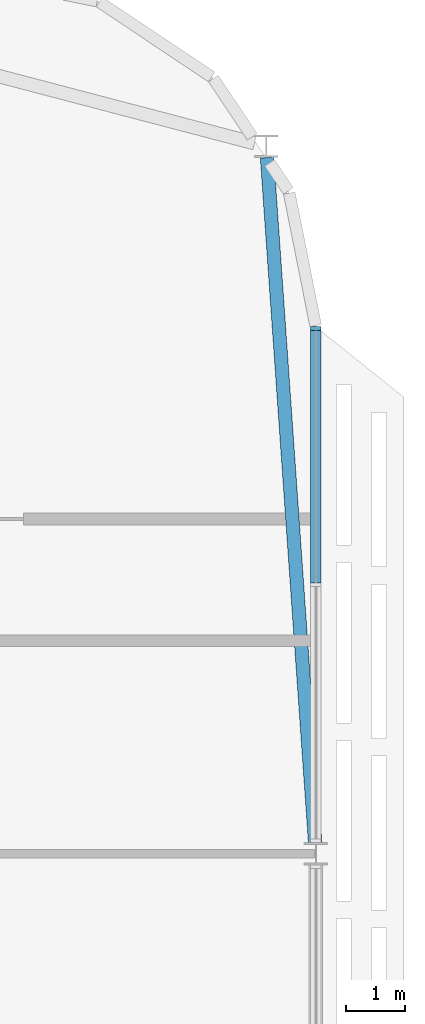
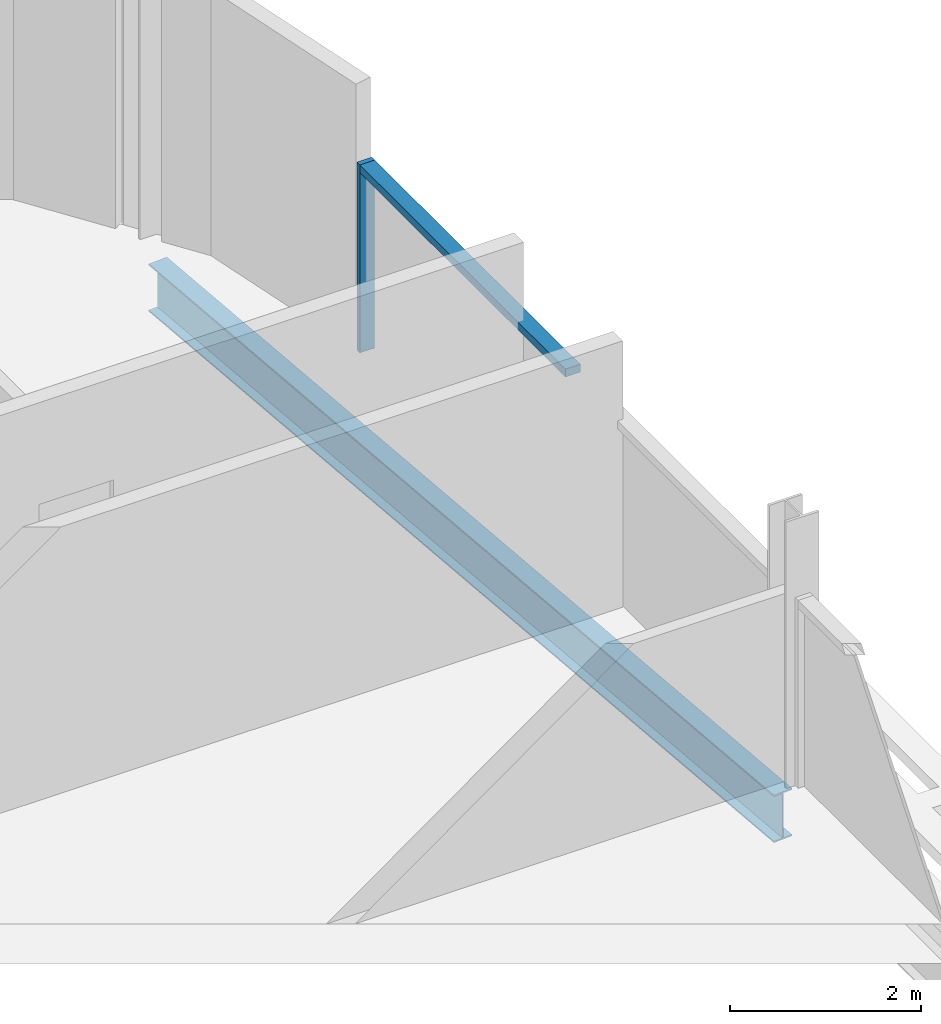
# One storey, part 15 of 33: 2 members, 1 beam, 1 element without a shape of its own.
"""IFC4 building model written with IfcOpenShell, lengths in metres."""

from ifc_helpers import new_model, si_unit, direction, frame, origin, origin_2d, place, context, subcontext, project, spatial, rectangle, i_section, extrude, material, material_profile, profile_set, type_object, element, aggregate, save


model = new_model("IFC4")

# Units and contexts
model_context = context("Model", 3, precision=1e-05, world=origin(), true_north=direction((0.0, 1.0)))
body_context = subcontext(model_context, "Body", "Model", "MODEL_VIEW")
ifc_project = project(units=[si_unit("LENGTHUNIT", "METRE"), si_unit("AREAUNIT", "SQUARE_METRE"), si_unit("VOLUMEUNIT", "CUBIC_METRE"), si_unit("PLANEANGLEUNIT", "RADIAN"), si_unit("MASSUNIT", "GRAM", prefix="KILO")], contexts=[model_context])

# Site, building, storey
site_placement = place(None, origin())
site = spatial("IfcSite", under=ifc_project, at=site_placement, CompositionType="ELEMENT")
building_placement = place(site_placement, origin())
building = spatial("IfcBuilding", under=site, at=building_placement, Name="Mahtab Terrace Research Tower", CompositionType="ELEMENT")
storey_placement = place(building_placement, frame((0.0, 0.0, 255.199951171875)))
storey = spatial("IfcBuildingStorey", under=building, at=storey_placement, Name="L62", CompositionType="ELEMENT", Elevation=255.199951171875)

# Curtain wall, members
ifc_material_1 = material(Name="Office ribbon curtain wall")
curtain_wall_type = type_object("IfcCurtainWallType", Name="Office ribbon curtain wall", PredefinedType="NOTDEFINED", material=ifc_material_1)
curtain_wall_placement = place(storey_placement, origin())
curtain_wall = element("IfcCurtainWall", 1, at=curtain_wall_placement, inside=storey, type_object=curtain_wall_type, Name="EN.L62.18.40", PredefinedType="NOTDEFINED")
ifc_material_2 = material(Name="Natural anodised aluminium", Category="aluminium")
ifc_material_profile_1 = material_profile(ifc_material_2, rectangle(XDim=0.179931640625, YDim=0.06005859375, at=origin_2d()), Name="MULLION 60x180")
ifc_profile_set_1 = profile_set([ifc_material_profile_1], Name="Natural anodised aluminium")
member_type_1 = type_object("IfcMemberType", Name="Office ribbon curtain wall mullion", PredefinedType="MULLION", material=ifc_profile_set_1)
member_1_placement = place(storey_placement, frame((54.0, 20.443115234375, 0.0), z_axis=(0.0, 0.0, 1.0), x_axis=(-1.0, 0.0, 0.0)))
member_1 = element("IfcMember", 2, at=member_1_placement, type_object=member_type_1, Name="CWO-7 mullion 3", PredefinedType="MULLION", context=body_context, shape_type="SweptSolid", body=[
    extrude(rectangle(XDim=0.179931640625, YDim=0.06005859375, at=origin_2d()), origin(), (0.0, 0.0, 1.0), 2.4013671875),
])
ifc_material_profile_2 = material_profile(ifc_material_2, rectangle(XDim=0.179931640625, YDim=0.10009765625, at=origin_2d()), Name="TRANSOM 100x180")
ifc_profile_set_2 = profile_set([ifc_material_profile_2], Name="Natural anodised aluminium")
member_type_2 = type_object("IfcMemberType", Name="Office ribbon curtain wall transom", PredefinedType="USERDEFINED", material=ifc_profile_set_2)
member_2_placement = place(storey_placement, frame((54.0, 16.113037109375, 2.351318359375), z_axis=(0.0, 1.0, 0.0), x_axis=(-1.0, 0.0, 0.0)))
member_2 = element("IfcMember", 3, at=member_2_placement, type_object=member_type_2, Name="CWO-7 transom 2", ObjectType="TRANSOM", PredefinedType="USERDEFINED", context=body_context, shape_type="SweptSolid", body=[
    extrude(rectangle(XDim=0.179931640625, YDim=0.10009765625, at=origin_2d()), origin(), (0.0, 0.0, 1.0), 4.300048828125),
])
aggregate(curtain_wall, [member_1, member_2])

# Beam
ifc_material_3 = material(Name="Steel ASTM A992 Gr 50", Category="steel")
ifc_material_profile_3 = material_profile(ifc_material_3, i_section(OverallWidth=0.228271484375, OverallDepth=0.607177734375, WebThickness=0.01123046875, FlangeThickness=0.017333984375, at=origin_2d()), Name="W24X76")
ifc_profile_set_3 = profile_set([ifc_material_profile_3], Name="Steel ASTM A992 Gr 50")
beam_type = type_object("IfcBeamType", Name="W24x76 beam BS2476", PredefinedType="BEAM", material=ifc_profile_set_3)
beam_placement = place(storey_placement, frame((53.986328125, 11.693115234375, -0.6435546875), z_axis=(-0.070055060722, 0.997543126119, 0.0), x_axis=(-0.997543126119, -0.070055060722, 0.0)))
element("IfcBeam", 4, at=beam_placement, inside=storey, type_object=beam_type, Name="Spandrel beam L62 22", PredefinedType="BEAM", context=body_context, shape_type="SweptSolid", body=[
    extrude(i_section(OverallWidth=0.228271484375, OverallDepth=0.607177734375, WebThickness=0.01123046875, FlangeThickness=0.017333984375, at=origin_2d()), origin(), (0.0, 0.0, 1.0), 11.688720703125),
])

save(model, "model.ifc")
